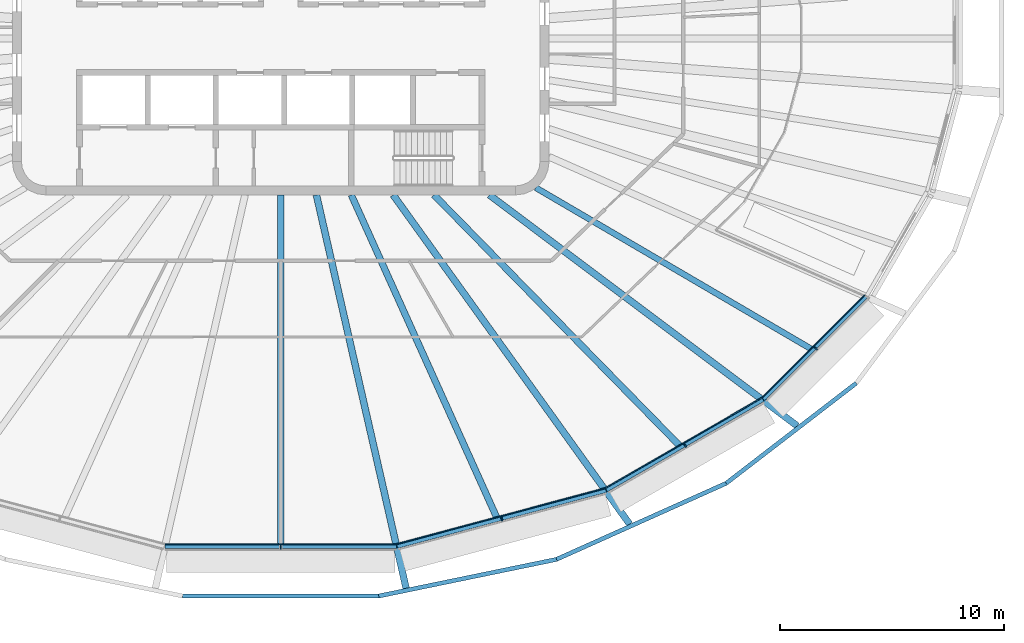
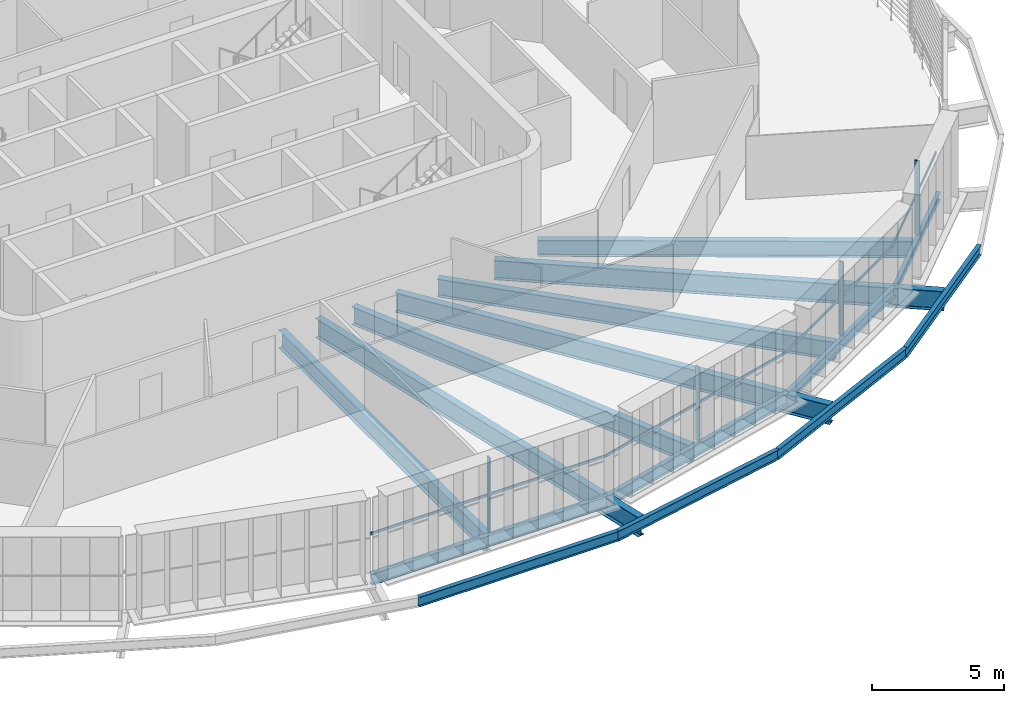
# One storey, part 3 of 21: 15 beams, 8 members, 4 elements without a shape of their own.
"""IFC4 building model written with IfcOpenShell, lengths in metres."""

from ifc_helpers import new_model, si_unit, direction, frame, origin, origin_2d, place, context, subcontext, project, spatial, rectangle, i_section, extrude, material, layer, layer_set, material_profile, profile_set, type_object, element, aggregate, save


model = new_model("IFC4")

# Units and contexts
model_context = context("Model", 3, precision=1e-05, world=origin(), true_north=direction((0.0, 1.0)))
body_context = subcontext(model_context, "Body", "Model", "MODEL_VIEW")
ifc_project = project(units=[si_unit("LENGTHUNIT", "METRE"), si_unit("AREAUNIT", "SQUARE_METRE"), si_unit("VOLUMEUNIT", "CUBIC_METRE"), si_unit("PLANEANGLEUNIT", "RADIAN"), si_unit("MASSUNIT", "GRAM", prefix="KILO")], contexts=[model_context])

# Site, building, storey
site_placement = place(None, origin())
site = spatial("IfcSite", under=ifc_project, at=site_placement, CompositionType="ELEMENT")
building_placement = place(site_placement, origin())
building = spatial("IfcBuilding", under=site, at=building_placement, Name="Sahrelin Media Tower", CompositionType="ELEMENT")
storey_placement = place(building_placement, frame((0.0, 0.0, 259.0)))
storey = spatial("IfcBuildingStorey", under=building, at=storey_placement, Name="L56", CompositionType="ELEMENT", Elevation=259.0)

# Beams
ifc_material_1 = material(Name="Steel S355", Category="steel")
ifc_material_profile_1 = material_profile(ifc_material_1, i_section(OverallWidth=0.17138671875, OverallDepth=0.35498046875, WebThickness=0.00732421875, FlangeThickness=0.011474609375, FilletRadius=0.01025390625, at=origin_2d()), Name="UB 356x171x51")
ifc_profile_set_1 = profile_set([ifc_material_profile_1], Name="Steel S355")
beam_type_1 = type_object("IfcBeamType", Name="Edge beam EB3", PredefinedType="BEAM", material=ifc_profile_set_1)
beam_1_placement = place(storey_placement, frame((26.19140625, -11.531494140625, -0.37744140625), z_axis=(-0.707106781187, -0.707106781187, 0.0), x_axis=(0.707106781187, -0.707106781187, 0.0)))
element("IfcBeam", 1, at=beam_1_placement, inside=storey, type_object=beam_type_1, Name="Edge beam L56-04", PredefinedType="BEAM", context=body_context, shape_type="SweptSolid", body=[
    extrude(i_section(OverallWidth=0.17138671875, OverallDepth=0.35498046875, WebThickness=0.00732421875, FlangeThickness=0.011474609375, FilletRadius=0.01025390625, at=origin_2d()), origin(), (0.0, 0.0, 1.0), 6.505615234375),
])
ifc_material_profile_2 = material_profile(ifc_material_1, i_section(OverallWidth=0.1904296875, OverallDepth=0.45703125, WebThickness=0.009033203125, FlangeThickness=0.014404296875, FilletRadius=0.01025390625, at=origin_2d()), Name="UB 457x191x74")
ifc_profile_set_2 = profile_set([ifc_material_profile_2], Name="Steel S355")
beam_type_2 = type_object("IfcBeamType", Name="Edge beam EB5", PredefinedType="BEAM", material=ifc_profile_set_2)
beam_2_placement = place(storey_placement, frame((21.568359375, -16.149169921875, -0.37841796875), z_axis=(-0.866014130978, -0.500019524566, 0.0), x_axis=(0.500019524566, -0.866014130978, 0.0)))
element("IfcBeam", 2, at=beam_2_placement, inside=storey, type_object=beam_type_2, Name="Edge beam L56-05", PredefinedType="BEAM", context=body_context, shape_type="SweptSolid", body=[
    extrude(i_section(OverallWidth=0.1904296875, OverallDepth=0.45703125, WebThickness=0.009033203125, FlangeThickness=0.014404296875, FilletRadius=0.01025390625, at=origin_2d()), origin(), (0.0, 0.0, 1.0), 8.086181640625),
])
ifc_material_profile_3 = material_profile(ifc_material_1, i_section(OverallWidth=0.208740234375, OverallDepth=0.5283203125, WebThickness=0.009521484375, FlangeThickness=0.01318359375, FilletRadius=0.0126953125, at=origin_2d()), Name="UB 533x210x82")
ifc_profile_set_3 = profile_set([ifc_material_profile_3], Name="Steel S355")
beam_type_3 = type_object("IfcBeamType", Name="Edge beam EB6", PredefinedType="BEAM", material=ifc_profile_set_3)
beam_3_placement = place(storey_placement, frame((14.5390625, -20.203369140625, -0.4140625), z_axis=(-0.96592932652, -0.258805981709, 0.0), x_axis=(0.258805981709, -0.96592932652, 0.0)))
element("IfcBeam", 3, at=beam_3_placement, inside=storey, type_object=beam_type_3, Name="Edge beam L56-06", PredefinedType="BEAM", context=body_context, shape_type="SweptSolid", body=[
    extrude(i_section(OverallWidth=0.208740234375, OverallDepth=0.5283203125, WebThickness=0.009521484375, FlangeThickness=0.01318359375, FilletRadius=0.0126953125, at=origin_2d()), origin(), (0.0, 0.0, 1.0), 9.66064453125),
])
beam_4_placement = place(storey_placement, frame((5.178955078125, -22.70751953125, -0.4140625), z_axis=(-1.0, 0.0, 0.0), x_axis=(0.0, -1.0, 0.0)))
element("IfcBeam", 4, at=beam_4_placement, inside=storey, type_object=beam_type_3, Name="Edge beam L56-07", PredefinedType="BEAM", context=body_context, shape_type="SweptSolid", body=[
    extrude(i_section(OverallWidth=0.208740234375, OverallDepth=0.5283203125, WebThickness=0.009521484375, FlangeThickness=0.01318359375, FilletRadius=0.0126953125, at=origin_2d()), origin(), (0.0, 0.0, 1.0), 10.35791015625),
])

# Curtain wall, member
ifc_material_2 = material(Name="Champagne anodised aluminium 6063-T6", Category="aluminium")
ifc_layer = layer(ifc_material_2, 0.14990234375)
ifc_layer_set = layer_set([ifc_layer], Name="Tower ribbon curtain wall")
curtain_wall_type = type_object("IfcCurtainWallType", Name="Tower ribbon curtain wall", PredefinedType="NOTDEFINED", material=ifc_layer_set)
curtain_wall_1_placement = place(storey_placement, frame((0.0, -22.857421875, 0.0), z_axis=(0.0, 0.0, 1.0), x_axis=(1.0, 0.0, 0.0)))
curtain_wall_1 = element("IfcCurtainWall", 5, at=curtain_wall_1_placement, inside=storey, type_object=curtain_wall_type, Name="L56:CW:L56-18", PredefinedType="NOTDEFINED")
ifc_material_profile_4 = material_profile(ifc_material_2, rectangle(XDim=0.06005859375, YDim=0.199951171875, at=origin_2d()), Name="Mullion 60x200")
ifc_profile_set_4 = profile_set([ifc_material_profile_4], Name="Champagne anodised aluminium 6063-T6")
member_type_1 = type_object("IfcMemberType", Name="Mullion 60x200 CW1C", PredefinedType="MULLION", material=ifc_profile_set_4)
member_1_placement = place(storey_placement, frame((0.0, -22.7373046875, 0.0), z_axis=(0.0, 0.0, 1.0), x_axis=(1.0, 0.0, 0.0)))
member_1 = element("IfcMember", 6, at=member_1_placement, type_object=member_type_1, Name="L56:CWM:L56-18", PredefinedType="MULLION", context=body_context, shape_type="SweptSolid", body=[
    extrude(rectangle(XDim=0.06005859375, YDim=0.199951171875, at=origin_2d()), origin(), (0.0, 0.0, 1.0), 3.448486328125),
])

curtain_wall_2_placement = place(storey_placement, frame((9.912109375, -21.598388671875, 0.0), z_axis=(0.0, 0.0, 1.0), x_axis=(1.0, 0.0, 0.0)))
curtain_wall_2 = element("IfcCurtainWall", 7, at=curtain_wall_2_placement, inside=storey, type_object=curtain_wall_type, Name="L56:CW:L56-19", PredefinedType="NOTDEFINED")
member_2_placement = place(storey_placement, frame((9.881103515625, -21.482421875, 0.0), z_axis=(0.0, 0.0, 1.0), x_axis=(0.965926729732, 0.258815673384, 0.0)))
member_2 = element("IfcMember", 8, at=member_2_placement, type_object=member_type_1, Name="L56:CWM:L56-19", PredefinedType="MULLION", context=body_context, shape_type="SweptSolid", body=[
    extrude(rectangle(XDim=0.06005859375, YDim=0.199951171875, at=origin_2d()), origin(), (0.0, 0.0, 1.0), 3.448486328125),
])

curtain_wall_3_placement = place(storey_placement, frame((18.14208984375, -18.300537109375, 0.0), z_axis=(0.0, 0.0, 1.0), x_axis=(1.0, 0.0, 0.0)))
curtain_wall_3 = element("IfcCurtainWall", 9, at=curtain_wall_3_placement, inside=storey, type_object=curtain_wall_type, Name="L56:CW:L56-20", PredefinedType="NOTDEFINED")
member_3_placement = place(storey_placement, frame((18.08203125, -18.19677734375, 0.0), z_axis=(0.0, 0.0, 1.0), x_axis=(0.866020167749, 0.500009068969, 0.0)))
member_3 = element("IfcMember", 10, at=member_3_placement, type_object=member_type_1, Name="L56:CWM:L56-20", PredefinedType="MULLION", context=body_context, shape_type="SweptSolid", body=[
    extrude(rectangle(XDim=0.06005859375, YDim=0.199951171875, at=origin_2d()), origin(), (0.0, 0.0, 1.0), 3.448486328125),
])

curtain_wall_4_placement = place(storey_placement, frame((23.997314453125, -13.9375, 0.0), z_axis=(0.0, 0.0, 1.0), x_axis=(1.0, 0.0, 0.0)))
curtain_wall_4 = element("IfcCurtainWall", 11, at=curtain_wall_4_placement, inside=storey, type_object=curtain_wall_type, Name="L56:CW:L56-21", PredefinedType="NOTDEFINED")
member_4_placement = place(storey_placement, frame((23.91259765625, -13.852783203125, 0.0), z_axis=(0.0, 0.0, 1.0), x_axis=(0.707106781187, 0.707106781187, 0.0)))
member_4 = element("IfcMember", 12, at=member_4_placement, type_object=member_type_1, Name="L56:CWM:L56-21", PredefinedType="MULLION", context=body_context, shape_type="SweptSolid", body=[
    extrude(rectangle(XDim=0.06005859375, YDim=0.199951171875, at=origin_2d()), origin(), (0.0, 0.0, 1.0), 3.448486328125),
])

# Beams
ifc_material_profile_5 = material_profile(ifc_material_1, i_section(OverallWidth=0.30322265625, OverallDepth=0.903076171875, WebThickness=0.01513671875, FlangeThickness=0.020263671875, FilletRadius=0.01904296875, at=origin_2d()), Name="UB 914x305x201")
ifc_profile_set_5 = profile_set([ifc_material_profile_5], Name="Steel S355")
beam_type_4 = type_object("IfcBeamType", Name="Radial primary beam PB11", PredefinedType="BEAM", material=ifc_profile_set_5)
beam_5_placement = place(storey_placement, frame((1.596435546875, -7.0, -0.6015625), z_axis=(0.222372750687, -0.974961722198, 0.0), x_axis=(0.974961722198, 0.222372750687, 0.0)))
element("IfcBeam", 13, at=beam_5_placement, inside=storey, type_object=beam_type_4, Name="Radial beam L56-19", PredefinedType="BEAM", context=body_context, shape_type="SweptSolid", body=[
    extrude(i_section(OverallWidth=0.30322265625, OverallDepth=0.903076171875, WebThickness=0.01513671875, FlangeThickness=0.020263671875, FilletRadius=0.01904296875, at=origin_2d()), origin(), (0.0, 0.0, 1.0), 18.038330078125),
])
beam_6_placement = place(storey_placement, frame((5.028564453125, -7.0, -0.6015625), z_axis=(0.583430968155, -0.812162733322, 0.0), x_axis=(0.812162733322, 0.583430968155, 0.0)))
element("IfcBeam", 14, at=beam_6_placement, inside=storey, type_object=beam_type_4, Name="Radial beam L56-20", PredefinedType="BEAM", context=body_context, shape_type="SweptSolid", body=[
    extrude(i_section(OverallWidth=0.30322265625, OverallDepth=0.903076171875, WebThickness=0.01513671875, FlangeThickness=0.020263671875, FilletRadius=0.01904296875, at=origin_2d()), origin(), (0.0, 0.0, 1.0), 18.129150390625),
])
beam_7_placement = place(storey_placement, frame((9.329345703125, -7.0, -0.6015625), z_axis=(0.799874013489, -0.600167945283, 0.0), x_axis=(0.600167945283, 0.799874013489, 0.0)))
element("IfcBeam", 15, at=beam_7_placement, inside=storey, type_object=beam_type_4, Name="Radial beam L56-21", PredefinedType="BEAM", context=body_context, shape_type="SweptSolid", body=[
    extrude(i_section(OverallWidth=0.30322265625, OverallDepth=0.903076171875, WebThickness=0.01513671875, FlangeThickness=0.020263671875, FilletRadius=0.01904296875, at=origin_2d()), origin(), (0.0, 0.0, 1.0), 17.21044921875),
])
ifc_material_profile_6 = material_profile(ifc_material_1, i_section(OverallWidth=0.291748046875, OverallDepth=0.8349609375, WebThickness=0.013916015625, FlangeThickness=0.018798828125, FilletRadius=0.017822265625, at=origin_2d()), Name="UB 838x292x176")
ifc_profile_set_6 = profile_set([ifc_material_profile_6], Name="Steel S355")
beam_type_5 = type_object("IfcBeamType", Name="Radial secondary beam SB10", PredefinedType="BEAM", material=ifc_profile_set_6)
beam_8_placement = place(storey_placement, frame((0.0, -7.0, -0.5673828125), z_axis=(0.0, -1.0, 0.0), x_axis=(1.0, 0.0, 0.0)))
element("IfcBeam", 16, at=beam_8_placement, inside=storey, type_object=beam_type_5, Name="Secondary beam L56-18", PredefinedType="BEAM", context=body_context, shape_type="SweptSolid", body=[
    extrude(i_section(OverallWidth=0.291748046875, OverallDepth=0.8349609375, WebThickness=0.013916015625, FlangeThickness=0.018798828125, FilletRadius=0.017822265625, at=origin_2d()), origin(), (0.0, 0.0, 1.0), 15.60302734375),
])
beam_9_placement = place(storey_placement, frame((3.15625, -7.0, -0.5673828125), z_axis=(0.41103398842, -0.911620019725, 0.0), x_axis=(0.911620019725, 0.41103398842, 0.0)))
element("IfcBeam", 17, at=beam_9_placement, inside=storey, type_object=beam_type_5, Name="Secondary beam L56-19", PredefinedType="BEAM", context=body_context, shape_type="SweptSolid", body=[
    extrude(i_section(OverallWidth=0.291748046875, OverallDepth=0.8349609375, WebThickness=0.013916015625, FlangeThickness=0.018798828125, FilletRadius=0.017822265625, at=origin_2d()), origin(), (0.0, 0.0, 1.0), 15.80126953125),
])
beam_10_placement = place(storey_placement, frame((6.856201171875, -7.0, -0.5673828125), z_axis=(0.699725987654, -0.714411325639, 0.0), x_axis=(0.714411325639, 0.699725987654, 0.0)))
element("IfcBeam", 18, at=beam_10_placement, inside=storey, type_object=beam_type_5, Name="Secondary beam L56-20", PredefinedType="BEAM", context=body_context, shape_type="SweptSolid", body=[
    extrude(i_section(OverallWidth=0.291748046875, OverallDepth=0.8349609375, WebThickness=0.013916015625, FlangeThickness=0.018798828125, FilletRadius=0.017822265625, at=origin_2d()), origin(), (0.0, 0.0, 1.0), 15.67724609375),
])
ifc_material_profile_7 = material_profile(ifc_material_1, i_section(OverallWidth=0.26513671875, OverallDepth=0.75390625, WebThickness=0.0126953125, FlangeThickness=0.017578125, FilletRadius=0.0166015625, at=origin_2d()), Name="UB 762x267x147")
ifc_profile_set_7 = profile_set([ifc_material_profile_7], Name="Steel S355")
beam_type_6 = type_object("IfcBeamType", Name="Radial secondary beam SB9", PredefinedType="BEAM", material=ifc_profile_set_7)
beam_11_placement = place(storey_placement, frame((11.40771484375, -6.677978515625, -0.527099609375), z_axis=(0.863005004974, -0.505195369525, 0.0), x_axis=(0.505195369525, 0.863005004974, 0.0)))
element("IfcBeam", 19, at=beam_11_placement, inside=storey, type_object=beam_type_6, Name="Secondary beam L56-21", PredefinedType="BEAM", context=body_context, shape_type="SweptSolid", body=[
    extrude(i_section(OverallWidth=0.26513671875, OverallDepth=0.75390625, WebThickness=0.0126953125, FlangeThickness=0.017578125, FilletRadius=0.0166015625, at=origin_2d()), origin(), (0.0, 0.0, 1.0), 14.263916015625),
])
ifc_material_profile_8 = material_profile(ifc_material_1, i_section(OverallWidth=0.1904296875, OverallDepth=0.45703125, WebThickness=0.009033203125, FlangeThickness=0.014404296875, FilletRadius=0.01025390625, at=origin_2d()), Name="UB 457x191x74")
ifc_profile_set_8 = profile_set([ifc_material_profile_8], Name="Steel S355")
beam_type_7 = type_object("IfcBeamType", Name="Tie chord TC5", PredefinedType="BEAM", material=ifc_profile_set_8)
beam_12_placement = place(storey_placement, frame((-4.38330078125, -24.936279296875, -0.37841796875), z_axis=(1.0, 0.0, 0.0), x_axis=(0.0, 1.0, 0.0)))
element("IfcBeam", 20, at=beam_12_placement, inside=storey, type_object=beam_type_7, Name="Tie chord L56-18", PredefinedType="BEAM", context=body_context, shape_type="SweptSolid", body=[
    extrude(i_section(OverallWidth=0.1904296875, OverallDepth=0.45703125, WebThickness=0.009033203125, FlangeThickness=0.014404296875, FilletRadius=0.01025390625, at=origin_2d()), origin(), (0.0, 0.0, 1.0), 8.7666015625),
])
beam_13_placement = place(storey_placement, frame((4.38330078125, -24.936279296875, -0.37841796875), z_axis=(0.979391781368, 0.20196964769, 0.0), x_axis=(-0.20196964769, 0.979391781368, 0.0)))
element("IfcBeam", 21, at=beam_13_placement, inside=storey, type_object=beam_type_7, Name="Tie chord L56-19", PredefinedType="BEAM", context=body_context, shape_type="SweptSolid", body=[
    extrude(i_section(OverallWidth=0.1904296875, OverallDepth=0.45703125, WebThickness=0.009033203125, FlangeThickness=0.014404296875, FilletRadius=0.01025390625, at=origin_2d()), origin(), (0.0, 0.0, 1.0), 8.1123046875),
])
beam_14_placement = place(storey_placement, frame((12.328369140625, -23.2978515625, -0.37841796875), z_axis=(0.91245001882, 0.409188175728, 0.0), x_axis=(-0.409188175728, 0.91245001882, 0.0)))
element("IfcBeam", 22, at=beam_14_placement, inside=storey, type_object=beam_type_7, Name="Tie chord L56-20", PredefinedType="BEAM", context=body_context, shape_type="SweptSolid", body=[
    extrude(i_section(OverallWidth=0.1904296875, OverallDepth=0.45703125, WebThickness=0.009033203125, FlangeThickness=0.014404296875, FilletRadius=0.01025390625, at=origin_2d()), origin(), (0.0, 0.0, 1.0), 8.3203125),
])
beam_15_placement = place(storey_placement, frame((19.920166015625, -19.893310546875, -0.37841796875), z_axis=(0.792449605953, 0.609937391889, 0.0), x_axis=(-0.609937391889, 0.792449605953, 0.0)))
element("IfcBeam", 23, at=beam_15_placement, inside=storey, type_object=beam_type_7, Name="Tie chord L56-21", PredefinedType="BEAM", context=body_context, shape_type="SweptSolid", body=[
    extrude(i_section(OverallWidth=0.1904296875, OverallDepth=0.45703125, WebThickness=0.009033203125, FlangeThickness=0.014404296875, FilletRadius=0.01025390625, at=origin_2d()), origin(), (0.0, 0.0, 1.0), 7.33984375),
])

# Member
ifc_material_profile_9 = material_profile(ifc_material_2, rectangle(XDim=0.050048828125, YDim=0.1201171875, at=origin_2d()), Name="Transom 50x120")
ifc_profile_set_9 = profile_set([ifc_material_profile_9], Name="Champagne anodised aluminium 6063-T6")
member_type_2 = type_object("IfcMemberType", Name="Transom 50x120 CW1C", PredefinedType="USERDEFINED", material=ifc_profile_set_9)
member_5_placement = place(storey_placement, frame((-5.1630859375, -22.6123046875, 1.60009765625), z_axis=(1.0, 0.0, 0.0), x_axis=(0.0, 1.0, 0.0)))
member_5 = element("IfcMember", 24, at=member_5_placement, type_object=member_type_2, Name="L56:CWT:L56-18", ObjectType="TRANSOM", PredefinedType="USERDEFINED", context=body_context, shape_type="SweptSolid", body=[
    extrude(rectangle(XDim=0.050048828125, YDim=0.1201171875, at=origin_2d()), origin(), (0.0, 0.0, 1.0), 10.326171875),
])

aggregate(curtain_wall_1, [member_1, member_5])

member_6_placement = place(storey_placement, frame((5.197998046875, -22.60791015625, 1.60009765625), z_axis=(0.965921568865, 0.258834933502, 0.0), x_axis=(-0.258834933502, 0.965921568865, 0.0)))
member_6 = element("IfcMember", 25, at=member_6_placement, type_object=member_type_2, Name="L56:CWT:L56-19", ObjectType="TRANSOM", PredefinedType="USERDEFINED", context=body_context, shape_type="SweptSolid", body=[
    extrude(rectangle(XDim=0.050048828125, YDim=0.1201171875, at=origin_2d()), origin(), (0.0, 0.0, 1.0), 9.62939453125),
])

aggregate(curtain_wall_2, [member_2, member_6])

member_7_placement = place(storey_placement, frame((14.53173828125, -20.10205078125, 1.60009765625), z_axis=(0.866026084844, 0.499998820369, 0.0), x_axis=(-0.499998820369, 0.866026084844, 0.0)))
member_7 = element("IfcMember", 26, at=member_7_placement, type_object=member_type_2, Name="L56:CWT:L56-20", ObjectType="TRANSOM", PredefinedType="USERDEFINED", context=body_context, shape_type="SweptSolid", body=[
    extrude(rectangle(XDim=0.050048828125, YDim=0.1201171875, at=origin_2d()), origin(), (0.0, 0.0, 1.0), 8.0546875),
])

aggregate(curtain_wall_3, [member_3, member_7])

member_8_placement = place(storey_placement, frame((21.53515625, -16.05322265625, 1.60009765625), z_axis=(0.707106781187, 0.707106781187, 0.0), x_axis=(-0.707106781187, 0.707106781187, 0.0)))
member_8 = element("IfcMember", 27, at=member_8_placement, type_object=member_type_2, Name="L56:CWT:L56-21", ObjectType="TRANSOM", PredefinedType="USERDEFINED", context=body_context, shape_type="SweptSolid", body=[
    extrude(rectangle(XDim=0.050048828125, YDim=0.1201171875, at=origin_2d()), origin(), (0.0, 0.0, 1.0), 6.47412109375),
])

aggregate(curtain_wall_4, [member_4, member_8])

save(model, "model.ifc")
